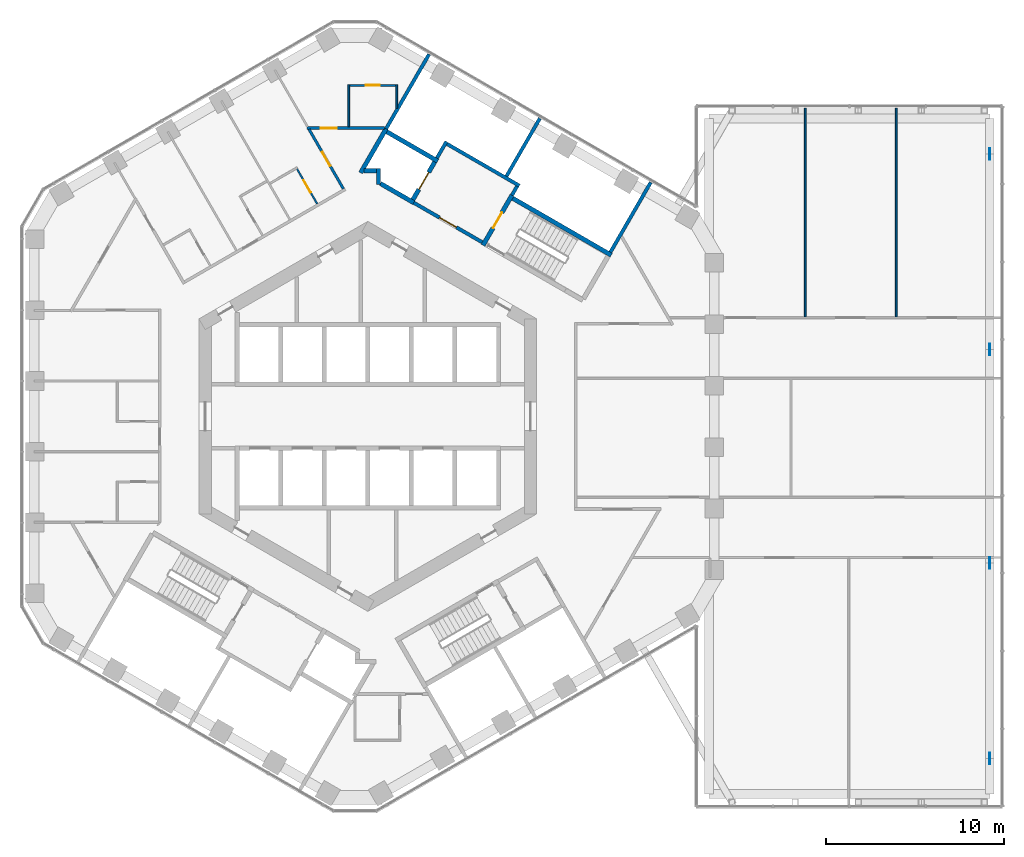
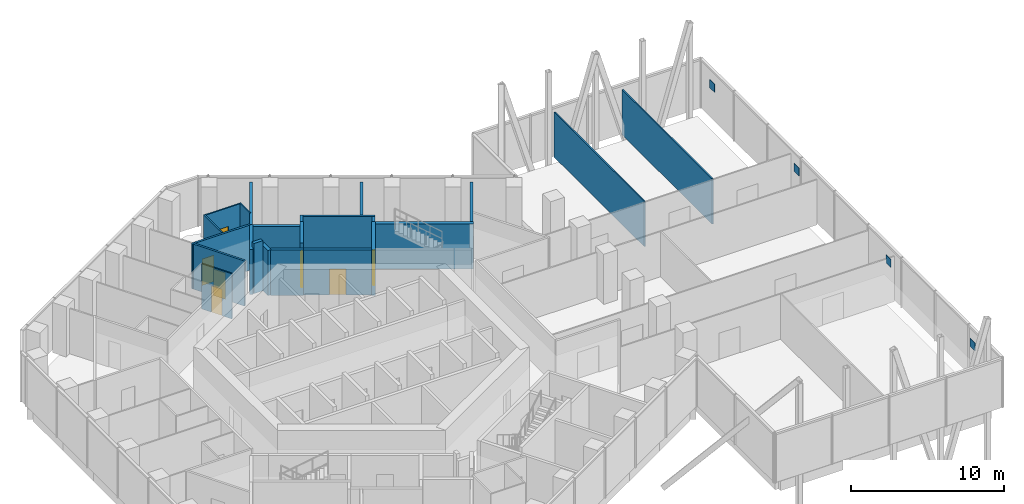
# One storey, part 21 of 24: 23 walls, 7 doors, 4 discrete accessories, 7 openings.
"""IFC4 building model written with IfcOpenShell, lengths in metres."""

from ifc_helpers import new_model, si_unit, direction, frame, frame_2d, origin, origin_2d, place, context, subcontext, project, spatial, rectangle, extrude, material, layer, layer_set, type_object, element, fill, save


model = new_model("IFC4")

# Units and contexts
model_context = context("Model", 3, precision=1e-05, world=origin(), true_north=direction((0.0, 1.0)))
body_context = subcontext(model_context, "Body", "Model", "MODEL_VIEW")
ifc_project = project(units=[si_unit("LENGTHUNIT", "METRE"), si_unit("AREAUNIT", "SQUARE_METRE"), si_unit("VOLUMEUNIT", "CUBIC_METRE"), si_unit("PLANEANGLEUNIT", "RADIAN"), si_unit("MASSUNIT", "GRAM", prefix="KILO")], contexts=[model_context])

# Site, building, storey
site_placement = place(None, origin())
site = spatial("IfcSite", under=ifc_project, at=site_placement, CompositionType="ELEMENT")
building_placement = place(site_placement, origin())
building = spatial("IfcBuilding", under=site, at=building_placement, Name="Ayvan Gate Tower", CompositionType="ELEMENT")
storey_placement = place(building_placement, frame((0.0, 0.0, 124.5)))
storey = spatial("IfcBuildingStorey", under=building, at=storey_placement, Name="L33", CompositionType="ELEMENT", Elevation=124.5)

# Wall, opening, door
ifc_material_1 = material(Name="Plasterboard on steel stud", Category="steel")
ifc_layer_1 = layer(ifc_material_1, 0.14990234375)
ifc_layer_set_1 = layer_set([ifc_layer_1], Name="Plasterboard on steel stud")
wall_type_1 = type_object("IfcWallType", Name="WT-CORR-150", PredefinedType="PARTITIONING", material=ifc_layer_set_1)
wall_1_placement = place(storey_placement, frame((-3.422607421875, 16.21875, 0.0), z_axis=(0.0, 0.0, 1.0), x_axis=(1.0, 0.0, 0.0)))
wall_1 = element("IfcWall", 1, at=wall_1_placement, inside=storey, type_object=wall_type_1, Name="IW-L33-046", PredefinedType="PARTITIONING", context=body_context, shape_type="SweptSolid", body=[
    extrude(rectangle(XDim=4.37255859375, YDim=0.14990234375, at=frame_2d((2.186279296875, 0.0))), origin(), (0.0, 0.0, 1.0), 3.60009765625),
])
opening_1_placement = place(wall_1_placement, frame((0.767578125, 0.0, 0.0)))
opening_1 = element("IfcOpeningElement", 2, at=opening_1_placement, cuts=wall_1, Name="Opening L33-D17", PredefinedType="OPENING", context=body_context, shape_type="SweptSolid", body=[
    extrude(rectangle(XDim=0.89990234375, YDim=2.10009765625, at=frame_2d((0.449951171875, 1.050048828125))), frame((0.0, 0.0849609375, 0.0), z_axis=(0.0, -1.0, 0.0), x_axis=(1.0, 0.0, 0.0)), (0.0, 0.0, 1.0), 0.169921875),
])
ifc_material_2 = material(Name="Timber door leaf", Category="wood")
door_type_1 = type_object("IfcDoorType", Name="DT-900", OperationType="NOTDEFINED", PredefinedType="DOOR", material=ifc_material_2)
door_1_placement = place(opening_1_placement, origin())
door_1 = element("IfcDoor", 3, at=door_1_placement, inside=storey, type_object=door_type_1, Name="ID-L33-017", OperationType="SINGLE_SWING_RIGHT", OverallHeight=2.10009765625, OverallWidth=0.89990234375, PredefinedType="DOOR", context=body_context, shape_type="SweptSolid", body=[
    extrude(rectangle(XDim=0.89990234375, YDim=2.10009765625, at=frame_2d((0.449951171875, 1.050048828125))), frame((0.0, 0.02490234375, 0.0), z_axis=(0.0, -1.0, 0.0), x_axis=(1.0, 0.0, 0.0)), (0.0, 0.0, 1.0), 0.050048828125),
])
fill(opening_1, door_1)

wall_2_placement = place(storey_placement, frame((-1.37548828125, 12.802490234375, 0.0), z_axis=(0.0, 0.0, 1.0), x_axis=(-0.499986412997, 0.866033248102, 0.0)))
wall_2 = element("IfcWall", 4, at=wall_2_placement, inside=storey, type_object=wall_type_1, Name="IW-L33-053", PredefinedType="PARTITIONING", context=body_context, shape_type="SweptSolid", body=[
    extrude(rectangle(XDim=3.86962890625, YDim=0.14990234375, at=frame_2d((1.934814453125, 0.0))), origin(), (0.0, 0.0, 1.0), 3.60009765625),
])
opening_2_placement = place(wall_2_placement, frame((1.48486328125, 0.0, 0.0)))
opening_2 = element("IfcOpeningElement", 5, at=opening_2_placement, cuts=wall_2, Name="Opening L33-D28", PredefinedType="OPENING", context=body_context, shape_type="SweptSolid", body=[
    extrude(rectangle(XDim=0.89990234375, YDim=2.10009765625, at=frame_2d((0.449951171875, 1.050048828125))), frame((0.0, 0.0849609375, 0.0), z_axis=(0.0, -1.0, 0.0), x_axis=(1.0, 0.0, 0.0)), (0.0, 0.0, 1.0), 0.169921875),
])
door_2_placement = place(opening_2_placement, origin())
door_2 = element("IfcDoor", 6, at=door_2_placement, inside=storey, type_object=door_type_1, Name="ID-L33-028", OperationType="SINGLE_SWING_LEFT", OverallHeight=2.10009765625, OverallWidth=0.89990234375, PredefinedType="DOOR", context=body_context, shape_type="SweptSolid", body=[
    extrude(rectangle(XDim=0.89990234375, YDim=2.10009765625, at=frame_2d((0.449951171875, 1.050048828125))), frame((0.0, 0.02490234375, 0.0), z_axis=(0.0, -1.0, 0.0), x_axis=(1.0, 0.0, 0.0)), (0.0, 0.0, 1.0), 0.050048828125),
])
fill(opening_2, door_2)

ifc_layer_2 = layer(ifc_material_1, 0.10009765625)
ifc_layer_set_2 = layer_set([ifc_layer_2], Name="Plasterboard on steel stud")
wall_type_2 = type_object("IfcWallType", Name="WT-PART-100", PredefinedType="PARTITIONING", material=ifc_layer_set_2)
wall_3_placement = place(storey_placement, frame((-2.84765625, 11.952392578125, 0.0), z_axis=(0.0, 0.0, 1.0), x_axis=(-0.499982560684, 0.866035472144, 0.0)))
wall_3 = element("IfcWall", 7, at=wall_3_placement, inside=storey, type_object=wall_type_2, Name="IW-L33-047", PredefinedType="PARTITIONING", context=body_context, shape_type="SweptSolid", body=[
    extrude(rectangle(XDim=2.27490234375, YDim=0.10009765625, at=frame_2d((1.137451171875, 0.0))), origin(), (0.0, 0.0, 1.0), 3.60009765625),
])
opening_3_placement = place(wall_3_placement, frame((0.737548828125, 0.0, 0.0)))
opening_3 = element("IfcOpeningElement", 8, at=opening_3_placement, cuts=wall_3, Name="Opening L33-D29", PredefinedType="OPENING", context=body_context, shape_type="SweptSolid", body=[
    extrude(rectangle(XDim=0.800048828125, YDim=2.10009765625, at=frame_2d((0.39990234375, 1.050048828125))), frame((0.0, 0.06005859375, 0.0), z_axis=(0.0, -1.0, 0.0), x_axis=(1.0, 0.0, 0.0)), (0.0, 0.0, 1.0), 0.1201171875),
])
door_type_2 = type_object("IfcDoorType", Name="DT-800", OperationType="NOTDEFINED", PredefinedType="DOOR", material=ifc_material_2)
door_3_placement = place(opening_3_placement, origin())
door_3 = element("IfcDoor", 9, at=door_3_placement, inside=storey, type_object=door_type_2, Name="ID-L33-029", OperationType="SINGLE_SWING_RIGHT", OverallHeight=2.10009765625, OverallWidth=0.800048828125, PredefinedType="DOOR", context=body_context, shape_type="SweptSolid", body=[
    extrude(rectangle(XDim=0.800048828125, YDim=2.10009765625, at=frame_2d((0.39990234375, 1.050048828125))), frame((0.0, 0.02490234375, 0.0), z_axis=(0.0, -1.0, 0.0), x_axis=(1.0, 0.0, 0.0)), (0.0, 0.0, 1.0), 0.050048828125),
])
fill(opening_3, door_3)

# Walls
wall_4_placement = place(storey_placement, frame((-1.0673828125, 18.668701171875, 0.0), z_axis=(0.0, 0.0, 1.0), x_axis=(0.0, -1.0, 0.0)))
element("IfcWall", 10, at=wall_4_placement, inside=storey, type_object=wall_type_2, Name="IW-L33-054", PredefinedType="PARTITIONING", context=body_context, shape_type="SweptSolid", body=[
    extrude(rectangle(XDim=2.375, YDim=0.10009765625, at=frame_2d((1.1875, 0.0))), origin(), (0.0, 0.0, 1.0), 3.60009765625),
])
wall_5_placement = place(storey_placement, frame((1.6328125, 17.327880859375, 0.0), z_axis=(0.0, 0.0, 1.0), x_axis=(0.0, 1.0, 0.0)))
element("IfcWall", 11, at=wall_5_placement, inside=storey, type_object=wall_type_2, Name="IW-L33-072", PredefinedType="PARTITIONING", context=body_context, shape_type="SweptSolid", body=[
    extrude(rectangle(XDim=1.3408203125, YDim=0.10009765625, at=frame_2d((0.67041015625, 0.0))), origin(), (0.0, 0.0, 1.0), 3.60009765625),
])

# Wall, opening, door
wall_6_placement = place(storey_placement, frame((1.582763671875, 18.61865234375, 0.0), z_axis=(0.0, 0.0, 1.0), x_axis=(-1.0, 0.0, 0.0)))
wall_6 = element("IfcWall", 12, at=wall_6_placement, inside=storey, type_object=wall_type_2, Name="IW-L33-073", PredefinedType="PARTITIONING", context=body_context, shape_type="SweptSolid", body=[
    extrude(rectangle(XDim=2.60009765625, YDim=0.10009765625, at=frame_2d((1.300048828125, 0.0))), origin(), (0.0, 0.0, 1.0), 3.60009765625),
])
opening_4_placement = place(wall_6_placement, frame((0.89990234375, 0.0, 0.0)))
opening_4 = element("IfcOpeningElement", 13, at=opening_4_placement, cuts=wall_6, Name="Opening L33-D18", PredefinedType="OPENING", context=body_context, shape_type="SweptSolid", body=[
    extrude(rectangle(XDim=0.800048828125, YDim=2.10009765625, at=frame_2d((0.39990234375, 1.050048828125))), frame((0.0, 0.06005859375, 0.0), z_axis=(0.0, -1.0, 0.0), x_axis=(1.0, 0.0, 0.0)), (0.0, 0.0, 1.0), 0.1201171875),
])
door_4_placement = place(opening_4_placement, origin())
door_4 = element("IfcDoor", 14, at=door_4_placement, inside=storey, type_object=door_type_2, Name="ID-L33-018", OperationType="SINGLE_SWING_LEFT", OverallHeight=2.10009765625, OverallWidth=0.800048828125, PredefinedType="DOOR", context=body_context, shape_type="SweptSolid", body=[
    extrude(rectangle(XDim=0.800048828125, YDim=2.10009765625, at=frame_2d((0.39990234375, 1.050048828125))), frame((0.0, 0.02490234375, 0.0), z_axis=(0.0, -1.0, 0.0), x_axis=(1.0, 0.0, 0.0)), (0.0, 0.0, 1.0), 0.050048828125),
])
fill(opening_4, door_4)

# Walls
for number, where, z_axis, x_axis, name in (
    (15, (24.603515625, 17.345947265625, 0.0), (0.0, 0.0, 1.0), (0.0, -1.0, 0.0), "IW-L33-119"),
    (16, (29.719482421875, 17.345947265625, 0.0), (0.0, 0.0, 1.0), (0.0, -1.0, 0.0), "IW-L33-121"),
):
    element("IfcWall", number, at=place(storey_placement, frame(where, z_axis=z_axis, x_axis=x_axis)), inside=storey, type_object=wall_type_2, Name=name, PredefinedType="PARTITIONING", context=body_context, shape_type="SweptSolid", body=[
        extrude(rectangle(XDim=11.752685546875, YDim=0.10009765625, at=frame_2d((5.87646484375, 0.0))), origin(), (0.0, 0.0, 1.0), 3.60009765625),
    ])
ifc_layer_3 = layer(ifc_material_1, 0.199951171875)
ifc_layer_set_3 = layer_set([ifc_layer_3], Name="Plasterboard on steel stud")
wall_type_3 = type_object("IfcWallType", Name="WT-PLUMB-200", PredefinedType="PLUMBINGWALL", material=ifc_layer_set_3)
wall_7_placement = place(storey_placement, frame((1.027099609375, 16.178955078125, 0.0), z_axis=(0.0, 0.0, 1.0), x_axis=(0.500006626369, 0.866021578015, 0.0)))
element("IfcWall", 17, at=wall_7_placement, inside=storey, type_object=wall_type_3, Name="IW-L33-069", PredefinedType="PLUMBINGWALL", context=body_context, shape_type="SweptSolid", body=[
    extrude(rectangle(XDim=4.833984375, YDim=0.199951171875, at=frame_2d((2.4169921875, 0.0))), origin(), (0.0, 0.0, 1.0), 3.60009765625),
])
wall_8_placement = place(storey_placement, frame((3.885009765625, 14.52880859375, 0.0), z_axis=(0.0, 0.0, 1.0), x_axis=(0.499997628298, 0.866026773083, 0.0)))
element("IfcWall", 18, at=wall_8_placement, inside=storey, type_object=wall_type_3, Name="IW-L33-084", PredefinedType="PLUMBINGWALL", context=body_context, shape_type="SweptSolid", body=[
    extrude(rectangle(XDim=1.0751953125, YDim=0.199951171875, at=frame_2d((0.53759765625, 0.0))), origin(), (0.0, 0.0, 1.0), 3.60009765625),
])
wall_9_placement = place(storey_placement, frame((4.458984375, 15.323486328125, 0.0), z_axis=(0.0, 0.0, 1.0), x_axis=(0.866016039709, -0.500016218704, 0.0)))
element("IfcWall", 19, at=wall_9_placement, inside=storey, type_object=wall_type_3, Name="IW-L33-085", PredefinedType="PLUMBINGWALL", context=body_context, shape_type="SweptSolid", body=[
    extrude(rectangle(XDim=4.699951171875, YDim=0.199951171875, at=frame_2d((2.35009765625, 0.0))), origin(), (0.0, 0.0, 1.0), 3.60009765625),
])
wall_10_placement = place(storey_placement, frame((7.800048828125, 13.510009765625, 0.0), z_axis=(0.0, 0.0, 1.0), x_axis=(0.499981075744, 0.866036329433, 0.0)))
element("IfcWall", 20, at=wall_10_placement, inside=storey, type_object=wall_type_3, Name="IW-L33-097", PredefinedType="PLUMBINGWALL", context=body_context, shape_type="SweptSolid", body=[
    extrude(rectangle(XDim=3.759033203125, YDim=0.199951171875, at=frame_2d((1.87939453125, 0.0))), origin(), (0.0, 0.0, 1.0), 3.60009765625),
])
wall_11_placement = place(storey_placement, frame((8.392822265625, 12.936767578125, 0.0), z_axis=(0.0, 0.0, 1.0), x_axis=(-0.500065409566, -0.86598763626, 0.0)))
element("IfcWall", 21, at=wall_11_placement, inside=storey, type_object=wall_type_3, Name="IW-L33-099", PredefinedType="PLUMBINGWALL", context=body_context, shape_type="SweptSolid", body=[
    extrude(rectangle(XDim=0.5751953125, YDim=0.199951171875, at=frame_2d((0.28759765625, 0.0))), origin(), (0.0, 0.0, 1.0), 3.60009765625),
])
wall_12_placement = place(storey_placement, frame((13.64794921875, 9.23876953125, 0.0), z_axis=(0.0, 0.0, 1.0), x_axis=(0.499978822259, 0.866037630414, 0.0)))
element("IfcWall", 22, at=wall_12_placement, inside=storey, type_object=wall_type_3, Name="IW-L33-111", PredefinedType="PLUMBINGWALL", context=body_context, shape_type="SweptSolid", body=[
    extrude(rectangle(XDim=4.533935546875, YDim=0.199951171875, at=frame_2d((2.26708984375, 0.0))), origin(), (0.0, 0.0, 1.0), 3.60009765625),
])

# Wall, opening, door
ifc_layer_4 = layer(ifc_material_1, 0.199951171875)
ifc_layer_set_4 = layer_set([ifc_layer_4], Name="Plasterboard on steel stud")
wall_type_4 = type_object("IfcWallType", Name="WT-RATED-200", PredefinedType="PARTITIONING", material=ifc_layer_set_4)
wall_13_placement = place(storey_placement, frame((6.4345703125, 9.794921875, 0.0), z_axis=(0.0, 0.0, 1.0), x_axis=(-0.866012907634, 0.500021643343, 0.0)))
wall_13 = element("IfcWall", 23, at=wall_13_placement, inside=storey, type_object=wall_type_4, Name="IW-L33-088", PredefinedType="PARTITIONING", context=body_context, shape_type="SweptSolid", body=[
    extrude(rectangle(XDim=4.449951171875, YDim=0.199951171875, at=frame_2d((2.22509765625, 0.0))), origin(), (0.0, 0.0, 1.0), 3.60009765625),
])
opening_5_placement = place(wall_13_placement, frame((1.675048828125, 0.0, 0.0)))
opening_5 = element("IfcOpeningElement", 24, at=opening_5_placement, cuts=wall_13, Name="Opening L33-D08", PredefinedType="OPENING", context=body_context, shape_type="SweptSolid", body=[
    extrude(rectangle(XDim=1.10009765625, YDim=2.10009765625, at=frame_2d((0.550048828125, 1.050048828125))), frame((0.0, 0.10986328125, 0.0), z_axis=(0.0, -1.0, 0.0), x_axis=(1.0, 0.0, 0.0)), (0.0, 0.0, 1.0), 0.219970703125),
])
door_type_3 = type_object("IfcDoorType", Name="DT-1100", OperationType="NOTDEFINED", PredefinedType="DOOR", material=ifc_material_2)
door_5_placement = place(opening_5_placement, origin())
door_5 = element("IfcDoor", 25, at=door_5_placement, inside=storey, type_object=door_type_3, Name="ID-L33-008", OperationType="SINGLE_SWING_LEFT", OverallHeight=2.10009765625, OverallWidth=1.10009765625, PredefinedType="DOOR", context=body_context, shape_type="SweptSolid", body=[
    extrude(rectangle(XDim=1.10009765625, YDim=2.10009765625, at=frame_2d((0.550048828125, 1.050048828125))), frame((0.0, 0.02490234375, 0.0), z_axis=(0.0, -1.0, 0.0), x_axis=(1.0, 0.0, 0.0)), (0.0, 0.0, 1.0), 0.050048828125),
])
fill(opening_5, door_5)

# Walls
ifc_material_3 = material(Name="Concrete C50/60", Category="concrete")
ifc_layer_5 = layer(ifc_material_3, 0.25)
ifc_layer_set_5 = layer_set([ifc_layer_5], Name="Concrete C50/60")
wall_type_5 = type_object("IfcWallType", Name="WT-RC-250", PredefinedType="SHEAR", material=ifc_layer_set_5)
wall_14_placement = place(storey_placement, frame((-0.403076171875, 13.70166015625, 0.0), z_axis=(0.0, 0.0, 1.0), x_axis=(0.499976111731, 0.866039195244, 0.0)))
element("IfcWall", 26, at=wall_14_placement, inside=storey, type_object=wall_type_5, Name="IW-L33-063", PredefinedType="SHEAR", context=body_context, shape_type="SweptSolid", body=[
    extrude(rectangle(XDim=2.860595703125, YDim=0.25, at=frame_2d((1.43017578125, 0.0))), origin(), (0.0, 0.0, 1.0), 3.60009765625),
])
wall_15_placement = place(storey_placement, frame((0.60009765625, 13.03857421875, 0.0), z_axis=(0.0, 0.0, 1.0), x_axis=(0.0, 1.0, 0.0)))
element("IfcWall", 27, at=wall_15_placement, inside=storey, type_object=wall_type_5, Name="IW-L33-067", PredefinedType="SHEAR", context=body_context, shape_type="SweptSolid", body=[
    extrude(rectangle(XDim=0.896484375, YDim=0.25, at=frame_2d((0.4482421875, 0.0))), origin(), (0.0, 0.0, 1.0), 3.60009765625),
])
wall_16_placement = place(storey_placement, frame((0.47509765625, 13.81005859375, 0.0), z_axis=(0.0, 0.0, 1.0), x_axis=(-1.0, 0.0, 0.0)))
element("IfcWall", 28, at=wall_16_placement, inside=storey, type_object=wall_type_5, Name="IW-L33-068", PredefinedType="SHEAR", context=body_context, shape_type="SweptSolid", body=[
    extrude(rectangle(XDim=0.690673828125, YDim=0.25, at=frame_2d((0.34521484375, 0.0))), origin(), (0.0, 0.0, 1.0), 4.0),
])
wall_17_placement = place(storey_placement, frame((1.072998046875, 16.00830078125, 0.0), z_axis=(0.0, 0.0, 1.0), x_axis=(0.866040211805, -0.499974350878, 0.0)))
element("IfcWall", 29, at=wall_17_placement, inside=storey, type_object=wall_type_5, Name="IW-L33-070", PredefinedType="SHEAR", context=body_context, shape_type="SweptSolid", body=[
    extrude(rectangle(XDim=3.300048828125, YDim=0.25, at=frame_2d((1.64990234375, 0.0))), origin(), (0.0, 0.0, 1.0), 3.60009765625),
])
wall_18_placement = place(storey_placement, frame((2.580810546875, 12.02001953125, 0.0), z_axis=(0.0, 0.0, 1.0), x_axis=(-0.86603892542, 0.499976579108, 0.0)))
element("IfcWall", 30, at=wall_18_placement, inside=storey, type_object=wall_type_5, Name="IW-L33-079", PredefinedType="SHEAR", context=body_context, shape_type="SweptSolid", body=[
    extrude(rectangle(XDim=2.162109375, YDim=0.25, at=frame_2d((1.0810546875, 0.0))), origin(), (0.0, 0.0, 1.0), 3.60009765625),
])

# Wall, opening, door
wall_19_placement = place(storey_placement, frame((2.534912109375, 12.19091796875, 0.0), z_axis=(0.0, 0.0, 1.0), x_axis=(0.500061746146, 0.865989751695, 0.0)))
wall_19 = element("IfcWall", 31, at=wall_19_placement, inside=storey, type_object=wall_type_5, Name="IW-L33-080", PredefinedType="SHEAR", context=body_context, shape_type="SweptSolid", body=[
    extrude(rectangle(XDim=2.449951171875, YDim=0.25, at=frame_2d((1.22509765625, 0.0))), origin(), (0.0, 0.0, 1.0), 4.0),
])
opening_6_placement = place(wall_19_placement, frame((0.675048828125, 0.0, 0.0)))
opening_6 = element("IfcOpeningElement", 32, at=opening_6_placement, cuts=wall_19, Name="Opening L33-LD-FF1", PredefinedType="OPENING", context=body_context, shape_type="SweptSolid", body=[
    extrude(rectangle(XDim=1.10009765625, YDim=2.10009765625, at=frame_2d((0.550048828125, 1.050048828125))), frame((0.0, 0.135009765625, 0.0), z_axis=(0.0, -1.0, 0.0), x_axis=(1.0, 0.0, 0.0)), (0.0, 0.0, 1.0), 0.27001953125),
])
ifc_material_4 = material(Name="Stainless steel landing door", Category="steel")
door_type_4 = type_object("IfcDoorType", Name="DT-LANDING-1100", OperationType="SLIDING_TO_LEFT", PredefinedType="DOOR", material=ifc_material_4)
door_6_placement = place(opening_6_placement, origin())
door_6 = element("IfcDoor", 33, at=door_6_placement, inside=storey, type_object=door_type_4, Name="ID-L33-009", OperationType="SLIDING_TO_LEFT", OverallHeight=2.10009765625, OverallWidth=1.10009765625, PredefinedType="DOOR", context=body_context, shape_type="SweptSolid", body=[
    extrude(rectangle(XDim=1.10009765625, YDim=2.10009765625, at=frame_2d((0.550048828125, 1.050048828125))), frame((0.0, 0.02490234375, 0.0), z_axis=(0.0, -1.0, 0.0), x_axis=(1.0, 0.0, 0.0)), (0.0, 0.0, 1.0), 0.050048828125),
])
fill(opening_6, door_6)

wall_20_placement = place(storey_placement, frame((6.480224609375, 9.624267578125, 0.0), z_axis=(0.0, 0.0, 1.0), x_axis=(0.500017246033, 0.866015446554, 0.0)))
wall_20 = element("IfcWall", 34, at=wall_20_placement, inside=storey, type_object=wall_type_5, Name="IW-L33-089", PredefinedType="SHEAR", context=body_context, shape_type="SweptSolid", body=[
    extrude(rectangle(XDim=3.25, YDim=0.25, at=frame_2d((1.625, 0.0))), origin(), (0.0, 0.0, 1.0), 3.60009765625),
])
opening_7_placement = place(wall_20_placement, frame((1.125, 0.0, 0.0)))
opening_7 = element("IfcOpeningElement", 35, at=opening_7_placement, cuts=wall_20, Name="Opening L33-D07", PredefinedType="OPENING", context=body_context, shape_type="SweptSolid", body=[
    extrude(rectangle(XDim=1.0, YDim=2.10009765625, at=frame_2d((0.5, 1.050048828125))), frame((0.0, 0.135009765625, 0.0), z_axis=(0.0, -1.0, 0.0), x_axis=(1.0, 0.0, 0.0)), (0.0, 0.0, 1.0), 0.27001953125),
])
door_type_5 = type_object("IfcDoorType", Name="DT-1000", OperationType="NOTDEFINED", PredefinedType="DOOR", material=ifc_material_2)
door_7_placement = place(opening_7_placement, origin())
door_7 = element("IfcDoor", 36, at=door_7_placement, inside=storey, type_object=door_type_5, Name="ID-L33-007", OperationType="SINGLE_SWING_RIGHT", OverallHeight=2.10009765625, OverallWidth=1.0, PredefinedType="DOOR", context=body_context, shape_type="SweptSolid", body=[
    extrude(rectangle(XDim=1.0, YDim=2.10009765625, at=frame_2d((0.5, 1.050048828125))), frame((0.0, 0.02490234375, 0.0), z_axis=(0.0, -1.0, 0.0), x_axis=(1.0, 0.0, 0.0)), (0.0, 0.0, 1.0), 0.050048828125),
])
fill(opening_7, door_7)

# Wall
wall_21_placement = place(storey_placement, frame((8.151123046875, 12.26806640625, 0.0), z_axis=(0.0, 0.0, 1.0), x_axis=(0.866025499775, -0.499999833739, 0.0)))
element("IfcWall", 37, at=wall_21_placement, inside=storey, type_object=wall_type_5, Name="IW-L33-098", PredefinedType="SHEAR", context=body_context, shape_type="SweptSolid", body=[
    extrude(rectangle(XDim=6.39990234375, YDim=0.25, at=frame_2d((3.199951171875, 0.0))), origin(), (0.0, 0.0, 1.0), 3.60009765625),
])

# Discrete accessories
ifc_material_5 = material(Name="Steel S460ML", Category="steel")
ifc_layer_6 = layer(ifc_material_5, 0.034912109375)
ifc_layer_set_6 = layer_set([ifc_layer_6], Name="Steel S460ML")
discrete_accessory_type = type_object("IfcDiscreteAccessoryType", Name="Gusset plate 35 mm", PredefinedType="BRACKET", material=ifc_layer_set_6)
for number, where, z_axis, x_axis, name in (
    (38, (34.985595703125, -8.25, 3.27490234375), (0.0, 0.0, 1.0), (0.0, 1.0, 0.0), "Gusset plate EXO-B2-D1A"),
    (39, (34.985595703125, -19.25, 3.27490234375), (0.0, 0.0, 1.0), (0.0, 1.0, 0.0), "Gusset plate EXO-B2-D1B"),
    (40, (34.985595703125, 3.75, 3.27490234375), (0.0, 0.0, 1.0), (0.0, 1.0, 0.0), "Gusset plate EXO-B2-D2A"),
    (41, (34.985595703125, 14.75, 3.27490234375), (0.0, 0.0, 1.0), (0.0, 1.0, 0.0), "Gusset plate EXO-B2-D3A"),
):
    element("IfcDiscreteAccessory", number, at=place(storey_placement, frame(where, z_axis=z_axis, x_axis=x_axis)), inside=storey, type_object=discrete_accessory_type, Name=name, PredefinedType="BRACKET", context=body_context, shape_type="SweptSolid", body=[
        extrude(rectangle(XDim=0.650146484375, YDim=0.034912109375, at=origin_2d()), origin(), (0.0, 0.0, 1.0), 0.650146484375),
    ])

save(model, "model.ifc")
